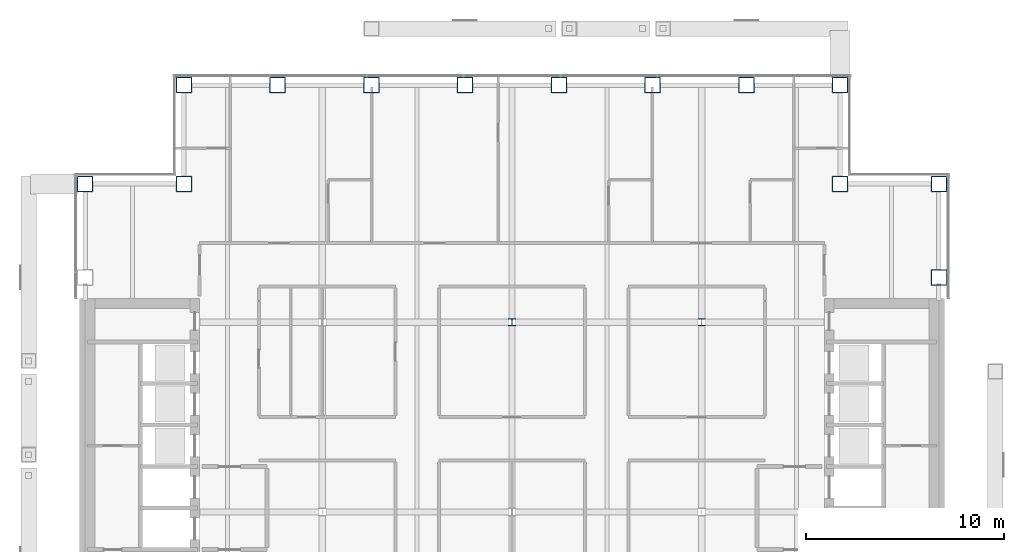
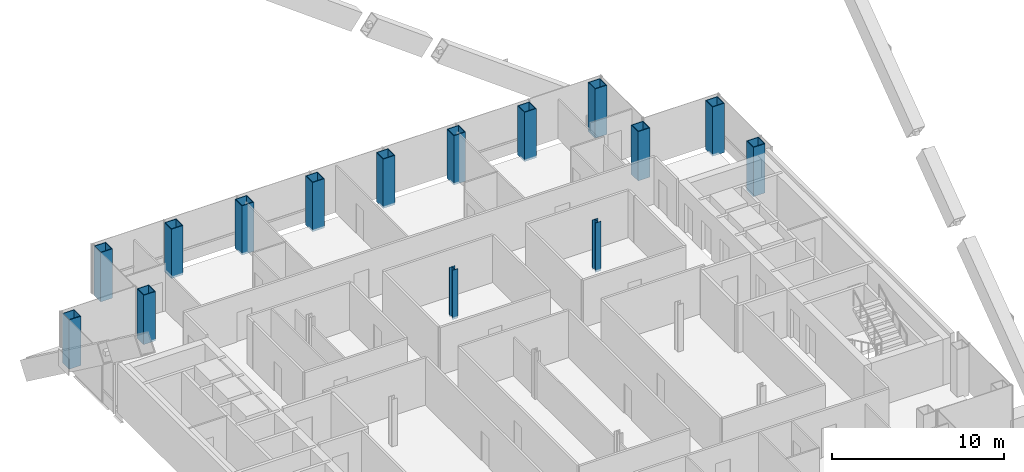
# One storey, part 2 of 17: 15 columns.
"""IFC4 building model written with IfcOpenShell, lengths in metres."""

import ifcopenshell
import ifcopenshell.guid

model = None  # the IFC model being written
_history = None  # IfcOwnerHistory: only IFC2X3 demands one
_inside = {}  # id of a spatial element -> (the spatial element, [elements in it])
_under = {}  # id of a project, library or spatial element -> (it, [spatial elements below it])
_declared = {}  # id of a project -> (the project, [libraries it declares])
_typed = {}  # id of a type object -> (the type object, [elements of that type])
_made_of = {}  # id of a material, layer set ... -> (it, [elements and type objects made of it])


def new_model(schema):
    """Start an empty IFC model of exactly this schema.

    Asked for "IFC4X3", IfcOpenShell would pick the latest addendum, in which some entities
    have other attributes; the version numbers below select the first issue.
    IFC2X3 requires an IfcOwnerHistory on every rooted entity: one is made here for all.
    """
    global model, _history
    if schema == "IFC4X3":
        model = ifcopenshell.file(schema_version=(4, 3, 0, 0))
    else:
        model = ifcopenshell.file(schema=schema)
    _inside.clear()
    _under.clear()
    _declared.clear()
    _typed.clear()
    _made_of.clear()
    _history = None
    if model.schema == "IFC2X3":
        org = make("IfcOrganization", Name="unknown")
        user = make(
            "IfcPersonAndOrganization",
            ThePerson=make("IfcPerson", FamilyName="unknown"),
            TheOrganization=org,
        )
        app = make(
            "IfcApplication",
            ApplicationDeveloper=org,
            Version="unknown",
            ApplicationFullName="unknown",
            ApplicationIdentifier="unknown",
        )
        _history = make(
            "IfcOwnerHistory",
            OwningUser=user,
            OwningApplication=app,
            ChangeAction="ADDED",
            CreationDate=0,
        )
    return model


def make(cls, **values):
    """One entity of the class cls with the attributes given. An attribute that is None is left unset."""
    return model.create_entity(
        cls, **{name: value for name, value in values.items() if value is not None}
    )


def rooted(cls, **values):
    """An entity with a GlobalId (a new one), such as an element, a storey or a relation."""
    return make(cls, GlobalId=ifcopenshell.guid.new(), OwnerHistory=_history, **values)


def si_unit(unit_type, name, prefix=None):
    """IfcSIUnit, for example si_unit("LENGTHUNIT", "METRE", prefix="MILLI")."""
    return make("IfcSIUnit", UnitType=unit_type, Prefix=prefix, Name=name)


def assignment(units):
    """IfcUnitAssignment: the units of a project."""
    return None if units is None else make("IfcUnitAssignment", Units=units)


def point(xyz):
    """IfcCartesianPoint."""
    return None if xyz is None else make("IfcCartesianPoint", Coordinates=xyz)


def direction(xyz):
    """IfcDirection."""
    return None if xyz is None else make("IfcDirection", DirectionRatios=xyz)


def frame(location, z_axis=None, x_axis=None):
    """IfcAxis2Placement3D, a coordinate frame: its origin and axes. An axis left out is left unset."""
    return make(
        "IfcAxis2Placement3D",
        Location=point(location),
        Axis=direction(z_axis),
        RefDirection=direction(x_axis),
    )


def frame_2d(location, x_axis=None):
    """IfcAxis2Placement2D, a coordinate frame in the plane: its origin and x axis."""
    return make(
        "IfcAxis2Placement2D", Location=point(location), RefDirection=direction(x_axis)
    )


def origin():
    """The frame at (0, 0, 0) with its axes left unset."""
    return frame((0.0, 0.0, 0.0))


def origin_2d():
    """The frame at (0, 0) in the plane with its x axis left unset."""
    return frame_2d((0.0, 0.0))


def place(relative_to, where):
    """IfcLocalPlacement: puts the frame where relative to a parent placement (None: the world)."""
    return make(
        "IfcLocalPlacement", PlacementRelTo=relative_to, RelativePlacement=where
    )


def context(
    kind, dimensions, precision=None, world=None, true_north=None, identifier=None
):
    """IfcGeometricRepresentationContext, for example the 3D "Model" context."""
    return make(
        "IfcGeometricRepresentationContext",
        ContextIdentifier=identifier,
        ContextType=kind,
        CoordinateSpaceDimension=dimensions,
        Precision=precision,
        WorldCoordinateSystem=world,
        TrueNorth=true_north,
    )


def subcontext(parent, identifier, kind, view, scale=None):
    """IfcGeometricRepresentationSubContext, for example "Body" below "Model"."""
    return make(
        "IfcGeometricRepresentationSubContext",
        ContextIdentifier=identifier,
        ContextType=kind,
        ParentContext=parent,
        TargetScale=scale,
        TargetView=view,
    )


def project(units=None, contexts=None):
    """IfcProject with its units and contexts."""
    return rooted(
        "IfcProject",
        Name="project",
        RepresentationContexts=contexts,
        UnitsInContext=assignment(units),
    )


def spatial(cls, under=None, at=None, **own):
    """A site, building, storey or space (cls), placed at a placement, below another one or the project."""
    s = rooted(cls, ObjectPlacement=at, **own)
    if under is not None:
        _under.setdefault(under.id(), (under, []))[1].append(s)
    return s


def profile(cls, at=None, kind="AREA", **sizes):
    """A parametric profile (cls). Its sizes go by their IFC names, for example OverallWidth=200.0."""
    return make(cls, ProfileType=kind, Position=at, **sizes)


def hollow_rectangle(**sizes):
    """IfcRectangleHollowProfileDef."""
    return profile("IfcRectangleHollowProfileDef", **sizes)


def i_section(**sizes):
    """IfcIShapeProfileDef."""
    return profile("IfcIShapeProfileDef", **sizes)


def extrude(swept, where, along, depth):
    """IfcExtrudedAreaSolid: the profile swept, set in the frame where, extruded along a direction by depth."""
    return make(
        "IfcExtrudedAreaSolid",
        SweptArea=swept,
        Position=where,
        ExtrudedDirection=direction(along),
        Depth=depth,
    )


def shape(context_of_items, identifier, shape_type, items):
    """IfcShapeRepresentation: the items that make up one representation, for example the "Body"."""
    return make(
        "IfcShapeRepresentation",
        ContextOfItems=context_of_items,
        RepresentationIdentifier=identifier,
        RepresentationType=shape_type,
        Items=items,
    )


def material(Name=None, Category=None):
    """IfcMaterial."""
    return make("IfcMaterial", Name=Name, Category=Category)


def material_profile(
    of_material, cross_section, Name=None, Category=None, Priority=None
):
    """IfcMaterialProfile: a cross section and its material."""
    return make(
        "IfcMaterialProfile",
        Name=Name,
        Material=of_material,
        Profile=cross_section,
        Priority=Priority,
        Category=Category,
    )


def profile_set(profiles, Name=None, composite=None):
    """IfcMaterialProfileSet."""
    return make(
        "IfcMaterialProfileSet",
        Name=Name,
        MaterialProfiles=profiles,
        CompositeProfile=composite,
    )


def made_of(thing, what):
    """Note that an element or type object is made of a material, layer set ...; save() writes the relation."""
    if what is not None:
        _made_of.setdefault(what.id(), (what, []))[1].append(thing)
    return thing


def type_object(cls, material=None, **own):
    """A type object (cls), such as IfcWallType, which elements share."""
    return made_of(rooted(cls, **own), material)


def element(
    cls,
    number,
    at=None,
    inside=None,
    cuts=None,
    type_object=None,
    material=None,
    context=None,
    identifier="Body",
    shape_type=None,
    held_by="IfcProductDefinitionShape",
    body=None,
    shapes=None,
    **own,
):
    """One element of the class cls, such as IfcWall. Its Tag is "e" and its number.

    at: its placement. inside: the storey or other place that contains it. cuts: it is an
    opening in that element (IfcRelVoidsElement). A single representation is given by context,
    identifier, shape_type and body (its items); several are given by shapes. held_by: the class
    of the entity that holds the representations. save() writes the other relations.
    """
    e = rooted(cls, Tag="e%d" % number, ObjectPlacement=at, **own)
    if body is not None:
        shapes = [shape(context, identifier, shape_type, body)]
    if shapes is not None:
        e.Representation = make(held_by, Representations=shapes)
    if inside is not None:
        _inside.setdefault(inside.id(), (inside, []))[1].append(e)
    if cuts is not None:
        rooted(
            "IfcRelVoidsElement", RelatingBuildingElement=cuts, RelatedOpeningElement=e
        )
    if type_object is not None:
        _typed.setdefault(type_object.id(), (type_object, []))[1].append(e)
    return made_of(e, material)


def aggregate(whole, parts):
    """IfcRelAggregates: a whole, such as a stair, and the parts it consists of."""
    return rooted("IfcRelAggregates", RelatingObject=whole, RelatedObjects=parts)


def save(model, path):
    """Write the relations noted so far, then the file.

    IfcRelAggregates (storeys below a building ...), IfcRelContainedInSpatialStructure (elements
    in a storey), IfcRelDefinesByType, IfcRelAssociatesMaterial and IfcRelDeclares: one each for
    every whole, place, type object, material and project.
    """
    for whole, parts in _under.values():
        aggregate(whole, parts)
    for where, things in _inside.values():
        rooted(
            "IfcRelContainedInSpatialStructure",
            RelatedElements=things,
            RelatingStructure=where,
        )
    for kind, things in _typed.values():
        rooted("IfcRelDefinesByType", RelatedObjects=things, RelatingType=kind)
    for what, things in _made_of.values():
        rooted("IfcRelAssociatesMaterial", RelatedObjects=things, RelatingMaterial=what)
    for by, libraries in _declared.values():
        rooted("IfcRelDeclares", RelatingContext=by, RelatedDefinitions=libraries)
    model.write(path)


model = new_model("IFC4")

# Units and contexts
model_context = context("Model", 3, precision=1e-05, world=origin(), true_north=direction((0.0, 1.0)))
body_context = subcontext(model_context, "Body", "Model", "MODEL_VIEW")
ifc_project = project(units=[si_unit("LENGTHUNIT", "METRE"), si_unit("AREAUNIT", "SQUARE_METRE"), si_unit("VOLUMEUNIT", "CUBIC_METRE"), si_unit("PLANEANGLEUNIT", "RADIAN"), si_unit("MASSUNIT", "GRAM", prefix="KILO")], contexts=[model_context])

# Site, building, storey
site_placement = place(None, origin())
site = spatial("IfcSite", under=ifc_project, at=site_placement, CompositionType="ELEMENT")
building_placement = place(site_placement, origin())
building = spatial("IfcBuilding", under=site, at=building_placement, Name="Cobrizo Arcos Hotel Tower", CompositionType="ELEMENT")
storey_placement = place(building_placement, frame((0.0, 0.0, 151.5)))
storey = spatial("IfcBuildingStorey", under=building, at=storey_placement, Name="L38", CompositionType="ELEMENT", Elevation=151.5)

# Columns
ifc_material_1 = material(Name="Steel ASTM A572 Grade 50", Category="steel")
ifc_material_profile_1 = material_profile(ifc_material_1, hollow_rectangle(XDim=0.800048828125, YDim=0.800048828125, WallThickness=0.044921875, at=origin_2d()), Name="BOX 800X800X45")
ifc_profile_set_1 = profile_set([ifc_material_profile_1], Name="Steel ASTM A572 Grade 50")
column_type_1 = type_object("IfcColumnType", Name="BOX 800X800X45 column", PredefinedType="COLUMN", material=ifc_profile_set_1)
for number, where, z_axis, x_axis, name in (
    (1, (-16.60009765625, 21.60009765625, -0.14990234375), (0.0, 0.0, 1.0), (1.0, 0.0, 0.0), "Perimeter column C8, L38, no. 00"),
    (2, (-11.85693359375, 21.60009765625, -0.14990234375), (0.0, 0.0, 1.0), (1.0, 0.0, 0.0), "Perimeter column C8, L38, no. 02"),
    (3, (-7.114013671875, 21.60009765625, -0.14990234375), (0.0, 0.0, 1.0), (1.0, 0.0, 0.0), "Perimeter column C8, L38, no. 04"),
    (4, (-2.37109375, 21.60009765625, -0.14990234375), (0.0, 0.0, 1.0), (1.0, 0.0, 0.0), "Perimeter column C8, L38, no. 06"),
    (5, (2.37109375, 21.60009765625, -0.14990234375), (0.0, 0.0, 1.0), (1.0, 0.0, 0.0), "Perimeter column C8, L38, no. 08"),
    (6, (7.114013671875, 21.60009765625, -0.14990234375), (0.0, 0.0, 1.0), (1.0, 0.0, 0.0), "Perimeter column C8, L38, no. 10"),
    (7, (11.85693359375, 21.60009765625, -0.14990234375), (0.0, 0.0, 1.0), (1.0, 0.0, 0.0), "Perimeter column C8, L38, no. 12"),
    (8, (16.60009765625, 21.60009765625, -0.14990234375), (0.0, 0.0, 1.0), (1.0, 0.0, 0.0), "Perimeter column C8, L38, no. 14"),
    (9, (21.60009765625, 11.85693359375, -0.14990234375), (0.0, 0.0, 1.0), (1.0, 0.0, 0.0), "Perimeter column C8, L38, no. 20"),
    (10, (21.60009765625, 16.60009765625, -0.14990234375), (0.0, 0.0, 1.0), (1.0, 0.0, 0.0), "Perimeter column C8, L38, no. 22"),
    (11, (-21.60009765625, 16.60009765625, -0.14990234375), (0.0, 0.0, 1.0), (1.0, 0.0, 0.0), "Perimeter column C8, L38, no. 23"),
    (12, (-16.60009765625, 16.60009765625, -0.14990234375), (0.0, 0.0, 1.0), (1.0, 0.0, 0.0), "Perimeter column C8, L38, no. 25"),
    (13, (16.60009765625, 16.60009765625, -0.14990234375), (0.0, 0.0, 1.0), (1.0, 0.0, 0.0), "Perimeter column C8, L38, no. 27"),
):
    element("IfcColumn", number, at=place(storey_placement, frame(where, z_axis=z_axis, x_axis=x_axis)), inside=storey, type_object=column_type_1, Name=name, PredefinedType="COLUMN", context=body_context, shape_type="SweptSolid", body=[
        extrude(hollow_rectangle(XDim=0.800048828125, YDim=0.800048828125, WallThickness=0.044921875, at=origin_2d()), origin(), (0.0, 0.0, 1.0), 3.5),
    ])
ifc_material_2 = material(Name="Steel ASTM A992 Grade 50", Category="steel")
ifc_material_profile_2 = material_profile(ifc_material_2, i_section(OverallWidth=0.373291015625, OverallDepth=0.373291015625, WebThickness=0.016357421875, FlangeThickness=0.026123046875, at=origin_2d()), Name="W14X132")
ifc_profile_set_2 = profile_set([ifc_material_profile_2], Name="Steel ASTM A992 Grade 50")
column_type_2 = type_object("IfcColumnType", Name="W14X132 interior column", PredefinedType="COLUMN", material=ifc_profile_set_2)
for number, where, z_axis, x_axis, name in (
    (14, (0.0, 9.60009765625, -0.14990234375), (0.0, 0.0, 1.0), (1.0, 0.0, 0.0), "Interior column C9, L38, no. 05"),
    (15, (9.60009765625, 9.60009765625, -0.14990234375), (0.0, 0.0, 1.0), (1.0, 0.0, 0.0), "Interior column C9, L38, no. 08"),
):
    element("IfcColumn", number, at=place(storey_placement, frame(where, z_axis=z_axis, x_axis=x_axis)), inside=storey, type_object=column_type_2, Name=name, PredefinedType="COLUMN", context=body_context, shape_type="SweptSolid", body=[
        extrude(i_section(OverallWidth=0.373291015625, OverallDepth=0.373291015625, WebThickness=0.016357421875, FlangeThickness=0.026123046875, at=origin_2d()), origin(), (0.0, 0.0, 1.0), 3.5),
    ])

save(model, "model.ifc")
